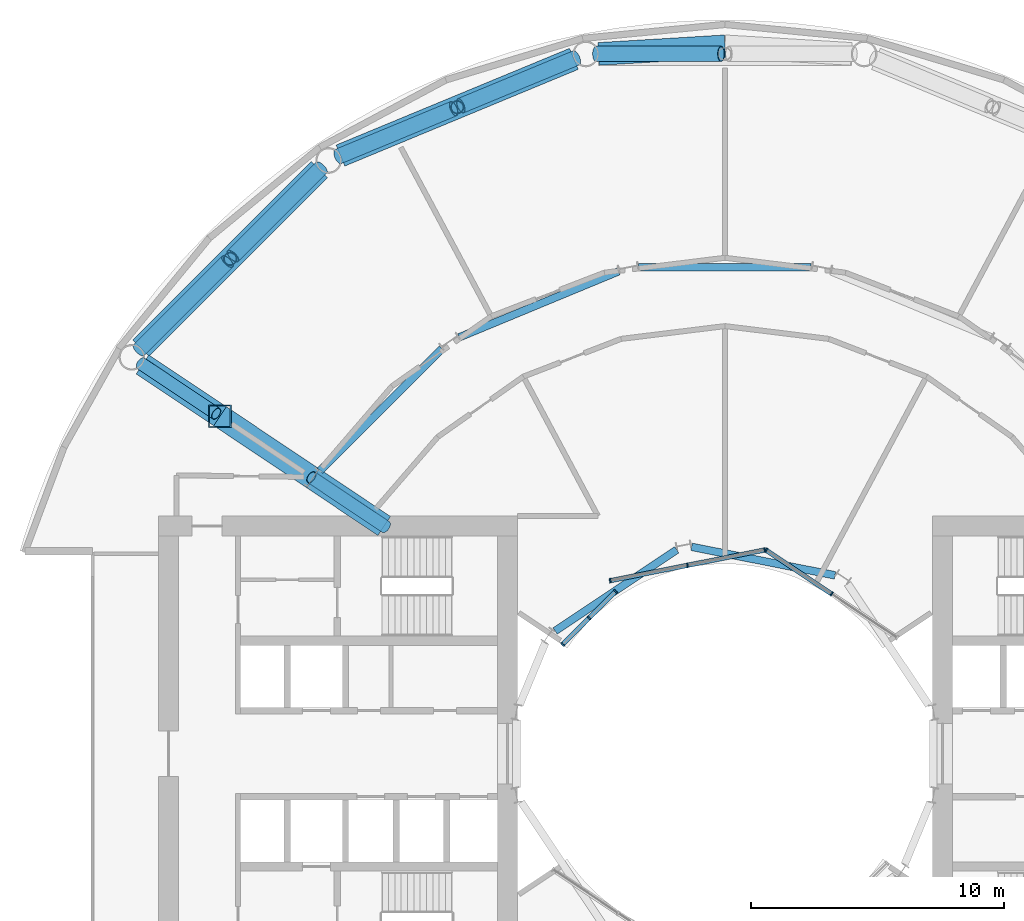
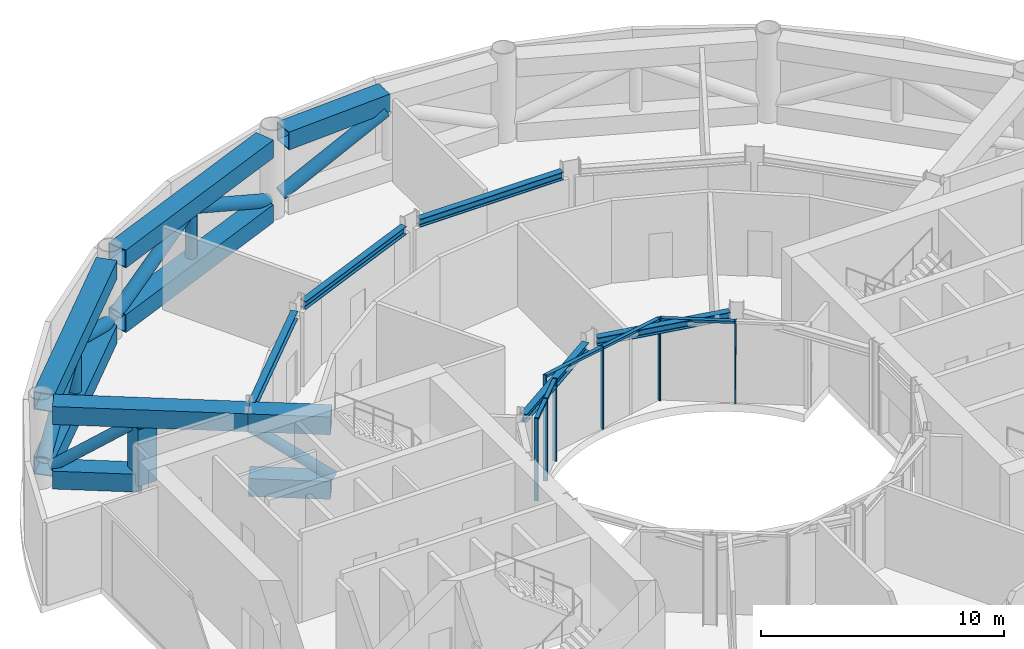
# One storey, part 6 of 15: 23 members, 14 beams, 3 elements without a shape of their own.
"""IFC4 building model written with IfcOpenShell, lengths in metres."""

import ifcopenshell
import ifcopenshell.guid

model = None  # the IFC model being written
_history = None  # IfcOwnerHistory: only IFC2X3 demands one
_inside = {}  # id of a spatial element -> (the spatial element, [elements in it])
_under = {}  # id of a project, library or spatial element -> (it, [spatial elements below it])
_declared = {}  # id of a project -> (the project, [libraries it declares])
_typed = {}  # id of a type object -> (the type object, [elements of that type])
_made_of = {}  # id of a material, layer set ... -> (it, [elements and type objects made of it])


def new_model(schema):
    """Start an empty IFC model of exactly this schema.

    Asked for "IFC4X3", IfcOpenShell would pick the latest addendum, in which some entities
    have other attributes; the version numbers below select the first issue.
    IFC2X3 requires an IfcOwnerHistory on every rooted entity: one is made here for all.
    """
    global model, _history
    if schema == "IFC4X3":
        model = ifcopenshell.file(schema_version=(4, 3, 0, 0))
    else:
        model = ifcopenshell.file(schema=schema)
    _inside.clear()
    _under.clear()
    _declared.clear()
    _typed.clear()
    _made_of.clear()
    _history = None
    if model.schema == "IFC2X3":
        org = make("IfcOrganization", Name="unknown")
        user = make(
            "IfcPersonAndOrganization",
            ThePerson=make("IfcPerson", FamilyName="unknown"),
            TheOrganization=org,
        )
        app = make(
            "IfcApplication",
            ApplicationDeveloper=org,
            Version="unknown",
            ApplicationFullName="unknown",
            ApplicationIdentifier="unknown",
        )
        _history = make(
            "IfcOwnerHistory",
            OwningUser=user,
            OwningApplication=app,
            ChangeAction="ADDED",
            CreationDate=0,
        )
    return model


def make(cls, **values):
    """One entity of the class cls with the attributes given. An attribute that is None is left unset."""
    return model.create_entity(
        cls, **{name: value for name, value in values.items() if value is not None}
    )


def rooted(cls, **values):
    """An entity with a GlobalId (a new one), such as an element, a storey or a relation."""
    return make(cls, GlobalId=ifcopenshell.guid.new(), OwnerHistory=_history, **values)


def si_unit(unit_type, name, prefix=None):
    """IfcSIUnit, for example si_unit("LENGTHUNIT", "METRE", prefix="MILLI")."""
    return make("IfcSIUnit", UnitType=unit_type, Prefix=prefix, Name=name)


def assignment(units):
    """IfcUnitAssignment: the units of a project."""
    return None if units is None else make("IfcUnitAssignment", Units=units)


def point(xyz):
    """IfcCartesianPoint."""
    return None if xyz is None else make("IfcCartesianPoint", Coordinates=xyz)


def direction(xyz):
    """IfcDirection."""
    return None if xyz is None else make("IfcDirection", DirectionRatios=xyz)


def frame(location, z_axis=None, x_axis=None):
    """IfcAxis2Placement3D, a coordinate frame: its origin and axes. An axis left out is left unset."""
    return make(
        "IfcAxis2Placement3D",
        Location=point(location),
        Axis=direction(z_axis),
        RefDirection=direction(x_axis),
    )


def frame_2d(location, x_axis=None):
    """IfcAxis2Placement2D, a coordinate frame in the plane: its origin and x axis."""
    return make(
        "IfcAxis2Placement2D", Location=point(location), RefDirection=direction(x_axis)
    )


def origin():
    """The frame at (0, 0, 0) with its axes left unset."""
    return frame((0.0, 0.0, 0.0))


def origin_2d():
    """The frame at (0, 0) in the plane with its x axis left unset."""
    return frame_2d((0.0, 0.0))


def place(relative_to, where):
    """IfcLocalPlacement: puts the frame where relative to a parent placement (None: the world)."""
    return make(
        "IfcLocalPlacement", PlacementRelTo=relative_to, RelativePlacement=where
    )


def context(
    kind, dimensions, precision=None, world=None, true_north=None, identifier=None
):
    """IfcGeometricRepresentationContext, for example the 3D "Model" context."""
    return make(
        "IfcGeometricRepresentationContext",
        ContextIdentifier=identifier,
        ContextType=kind,
        CoordinateSpaceDimension=dimensions,
        Precision=precision,
        WorldCoordinateSystem=world,
        TrueNorth=true_north,
    )


def subcontext(parent, identifier, kind, view, scale=None):
    """IfcGeometricRepresentationSubContext, for example "Body" below "Model"."""
    return make(
        "IfcGeometricRepresentationSubContext",
        ContextIdentifier=identifier,
        ContextType=kind,
        ParentContext=parent,
        TargetScale=scale,
        TargetView=view,
    )


def project(units=None, contexts=None):
    """IfcProject with its units and contexts."""
    return rooted(
        "IfcProject",
        Name="project",
        RepresentationContexts=contexts,
        UnitsInContext=assignment(units),
    )


def spatial(cls, under=None, at=None, **own):
    """A site, building, storey or space (cls), placed at a placement, below another one or the project."""
    s = rooted(cls, ObjectPlacement=at, **own)
    if under is not None:
        _under.setdefault(under.id(), (under, []))[1].append(s)
    return s


def profile(cls, at=None, kind="AREA", **sizes):
    """A parametric profile (cls). Its sizes go by their IFC names, for example OverallWidth=200.0."""
    return make(cls, ProfileType=kind, Position=at, **sizes)


def rectangle(**sizes):
    """IfcRectangleProfileDef."""
    return profile("IfcRectangleProfileDef", **sizes)


def hollow_rectangle(**sizes):
    """IfcRectangleHollowProfileDef."""
    return profile("IfcRectangleHollowProfileDef", **sizes)


def hollow_circle(**sizes):
    """IfcCircleHollowProfileDef."""
    return profile("IfcCircleHollowProfileDef", **sizes)


def i_section(**sizes):
    """IfcIShapeProfileDef."""
    return profile("IfcIShapeProfileDef", **sizes)


def extrude(swept, where, along, depth):
    """IfcExtrudedAreaSolid: the profile swept, set in the frame where, extruded along a direction by depth."""
    return make(
        "IfcExtrudedAreaSolid",
        SweptArea=swept,
        Position=where,
        ExtrudedDirection=direction(along),
        Depth=depth,
    )


def shape(context_of_items, identifier, shape_type, items):
    """IfcShapeRepresentation: the items that make up one representation, for example the "Body"."""
    return make(
        "IfcShapeRepresentation",
        ContextOfItems=context_of_items,
        RepresentationIdentifier=identifier,
        RepresentationType=shape_type,
        Items=items,
    )


def material(Name=None, Category=None):
    """IfcMaterial."""
    return make("IfcMaterial", Name=Name, Category=Category)


def layer(
    of_material, thickness, ventilated=None, Name=None, Category=None, Priority=None
):
    """IfcMaterialLayer: one layer of a wall or slab, of a material (None: an air gap)."""
    return make(
        "IfcMaterialLayer",
        Material=of_material,
        LayerThickness=thickness,
        IsVentilated=ventilated,
        Name=Name,
        Category=Category,
        Priority=Priority,
    )


def layer_set(layers, Name=None):
    """IfcMaterialLayerSet."""
    return make("IfcMaterialLayerSet", MaterialLayers=layers, LayerSetName=Name)


def material_profile(
    of_material, cross_section, Name=None, Category=None, Priority=None
):
    """IfcMaterialProfile: a cross section and its material."""
    return make(
        "IfcMaterialProfile",
        Name=Name,
        Material=of_material,
        Profile=cross_section,
        Priority=Priority,
        Category=Category,
    )


def profile_set(profiles, Name=None, composite=None):
    """IfcMaterialProfileSet."""
    return make(
        "IfcMaterialProfileSet",
        Name=Name,
        MaterialProfiles=profiles,
        CompositeProfile=composite,
    )


def made_of(thing, what):
    """Note that an element or type object is made of a material, layer set ...; save() writes the relation."""
    if what is not None:
        _made_of.setdefault(what.id(), (what, []))[1].append(thing)
    return thing


def type_object(cls, material=None, **own):
    """A type object (cls), such as IfcWallType, which elements share."""
    return made_of(rooted(cls, **own), material)


def element(
    cls,
    number,
    at=None,
    inside=None,
    cuts=None,
    type_object=None,
    material=None,
    context=None,
    identifier="Body",
    shape_type=None,
    held_by="IfcProductDefinitionShape",
    body=None,
    shapes=None,
    **own,
):
    """One element of the class cls, such as IfcWall. Its Tag is "e" and its number.

    at: its placement. inside: the storey or other place that contains it. cuts: it is an
    opening in that element (IfcRelVoidsElement). A single representation is given by context,
    identifier, shape_type and body (its items); several are given by shapes. held_by: the class
    of the entity that holds the representations. save() writes the other relations.
    """
    e = rooted(cls, Tag="e%d" % number, ObjectPlacement=at, **own)
    if body is not None:
        shapes = [shape(context, identifier, shape_type, body)]
    if shapes is not None:
        e.Representation = make(held_by, Representations=shapes)
    if inside is not None:
        _inside.setdefault(inside.id(), (inside, []))[1].append(e)
    if cuts is not None:
        rooted(
            "IfcRelVoidsElement", RelatingBuildingElement=cuts, RelatedOpeningElement=e
        )
    if type_object is not None:
        _typed.setdefault(type_object.id(), (type_object, []))[1].append(e)
    return made_of(e, material)


def aggregate(whole, parts):
    """IfcRelAggregates: a whole, such as a stair, and the parts it consists of."""
    return rooted("IfcRelAggregates", RelatingObject=whole, RelatedObjects=parts)


def save(model, path):
    """Write the relations noted so far, then the file.

    IfcRelAggregates (storeys below a building ...), IfcRelContainedInSpatialStructure (elements
    in a storey), IfcRelDefinesByType, IfcRelAssociatesMaterial and IfcRelDeclares: one each for
    every whole, place, type object, material and project.
    """
    for whole, parts in _under.values():
        aggregate(whole, parts)
    for where, things in _inside.values():
        rooted(
            "IfcRelContainedInSpatialStructure",
            RelatedElements=things,
            RelatingStructure=where,
        )
    for kind, things in _typed.values():
        rooted("IfcRelDefinesByType", RelatedObjects=things, RelatingType=kind)
    for what, things in _made_of.values():
        rooted("IfcRelAssociatesMaterial", RelatedObjects=things, RelatingMaterial=what)
    for by, libraries in _declared.values():
        rooted("IfcRelDeclares", RelatingContext=by, RelatedDefinitions=libraries)
    model.write(path)


model = new_model("IFC4")

# Units and contexts
model_context = context("Model", 3, precision=1e-05, world=origin(), true_north=direction((0.0, 1.0)))
body_context = subcontext(model_context, "Body", "Model", "MODEL_VIEW")
ifc_project = project(units=[si_unit("LENGTHUNIT", "METRE"), si_unit("AREAUNIT", "SQUARE_METRE"), si_unit("VOLUMEUNIT", "CUBIC_METRE"), si_unit("PLANEANGLEUNIT", "RADIAN"), si_unit("MASSUNIT", "GRAM", prefix="KILO")], contexts=[model_context])

# Site, building, storey
site_placement = place(None, origin())
site = spatial("IfcSite", under=ifc_project, at=site_placement, CompositionType="ELEMENT")
building_placement = place(site_placement, origin())
building = spatial("IfcBuilding", under=site, at=building_placement, Name="Maasbend Ring Residences", CompositionType="ELEMENT")
storey_placement = place(building_placement, frame((0.0, 0.0, 18.300048828125)))
storey = spatial("IfcBuildingStorey", under=building, at=storey_placement, Name="L04", CompositionType="ELEMENT", Elevation=18.300048828125)

# Beams
ifc_material_1 = material(Name="Steel S460M", Category="steel")
ifc_material_profile_1 = material_profile(ifc_material_1, hollow_rectangle(XDim=0.89990234375, YDim=0.89990234375, WallThickness=0.044921875, at=origin_2d()), Name="Belt truss chord BX 900x900x45")
ifc_profile_set_1 = profile_set([ifc_material_profile_1], Name="Steel S460M")
beam_type_1 = type_object("IfcBeamType", Name="Belt truss chord BX 900x900x45", PredefinedType="BEAM", material=ifc_profile_set_1)
beam_1_placement = place(storey_placement, frame((0.0, 27.9580078125, 3.699951171875), z_axis=(-0.998202452092, -0.059932166976, 0.0), x_axis=(0.059932166976, -0.998202452092, 0.0)))
element("IfcBeam", 1, at=beam_1_placement, inside=storey, type_object=beam_type_1, Name="Belt truss", PredefinedType="BEAM", context=body_context, shape_type="SweptSolid", body=[
    extrude(hollow_rectangle(XDim=0.89990234375, YDim=0.89990234375, WallThickness=0.044921875, at=origin_2d()), origin(), (0.0, 0.0, 1.0), 5.00244140625),
])
for number, where, z_axis, x_axis, name in (
    (2, (-5.970703125, 27.463623046875, 0.449951171875), (-0.923886337442, -0.382667003395, 0.0), (0.382667003395, -0.923886337442, 0.0), "Belt truss"),
    (3, (-5.970703125, 27.463623046875, 3.699951171875), (-0.923886337442, -0.382667003395, 0.0), (0.382667003395, -0.923886337442, 0.0), "Belt truss"),
):
    element("IfcBeam", number, at=place(storey_placement, frame(where, z_axis=z_axis, x_axis=x_axis)), inside=storey, type_object=beam_type_1, Name=name, PredefinedType="BEAM", context=body_context, shape_type="SweptSolid", body=[
        extrude(hollow_rectangle(XDim=0.89990234375, YDim=0.89990234375, WallThickness=0.044921875, at=origin_2d()), origin(), (0.0, 0.0, 1.0), 9.9873046875),
    ])
for number, where, z_axis, x_axis, name in (
    (4, (-16.0263671875, 23.088134765625, 0.449951171875), (-0.707106781187, -0.707106781187, 0.0), (0.707106781187, -0.707106781187, 0.0), "Belt truss"),
    (5, (-16.0263671875, 23.088134765625, 3.699951171875), (-0.707106781187, -0.707106781187, 0.0), (0.707106781187, -0.707106781187, 0.0), "Belt truss"),
):
    element("IfcBeam", number, at=place(storey_placement, frame(where, z_axis=z_axis, x_axis=x_axis)), inside=storey, type_object=beam_type_1, Name=name, PredefinedType="BEAM", context=body_context, shape_type="SweptSolid", body=[
        extrude(hollow_rectangle(XDim=0.89990234375, YDim=0.89990234375, WallThickness=0.044921875, at=origin_2d()), origin(), (0.0, 0.0, 1.0), 9.98681640625),
    ])

# Members
ifc_material_2 = material(Name="Steel S460NH", Category="steel")
ifc_material_profile_2 = material_profile(ifc_material_2, hollow_circle(Radius=0.304931640625, WallThickness=0.02490234375, at=origin_2d()), Name="Belt truss diagonal CHS 610x25")
ifc_profile_set_2 = profile_set([ifc_material_profile_2], Name="Steel S460NH")
member_type_1 = type_object("IfcMemberType", Name="Belt truss diagonal CHS 610x25", PredefinedType="BRACE", material=ifc_profile_set_2)
member_1_placement = place(storey_placement, frame((-0.1533203125, 27.658203125, 3.300048828125), z_axis=(-0.895892052574, 0.0, -0.44427179759), x_axis=(0.0, -1.0, 0.0)))
element("IfcMember", 6, at=member_1_placement, inside=storey, type_object=member_type_1, Name="Belt truss diagonal", PredefinedType="BRACE", context=body_context, shape_type="SweptSolid", body=[
    extrude(hollow_circle(Radius=0.304931640625, WallThickness=0.02490234375, at=origin_2d()), origin(), (0.0, 0.0, 1.0), 5.51513671875),
])
for number, where, z_axis, x_axis, name in (
    (7, (-5.877685546875, 27.502197265625, 0.849853515625), (-0.827714428739, -0.342833747825, 0.444245254122), (0.38266743189, -0.923886159963, 0.0), "Belt truss diagonal"),
    (8, (-10.725830078125, 25.494140625, 3.300048828125), (-0.827714428739, -0.342833747825, -0.444245254122), (0.38266743189, -0.923886159963, 0.0), "Belt truss diagonal"),
    (9, (-15.955078125, 23.159423828125, 0.849853515625), (-0.633496351585, -0.633496351585, 0.444257521103), (0.707106781187, -0.707106781187, 0.0), "Belt truss diagonal"),
    (10, (-19.66552734375, 19.448974609375, 3.300048828125), (-0.633496351585, -0.633496351585, -0.444257521103), (0.707106781187, -0.707106781187, 0.0), "Belt truss diagonal"),
):
    element("IfcMember", number, at=place(storey_placement, frame(where, z_axis=z_axis, x_axis=x_axis)), inside=storey, type_object=member_type_1, Name=name, PredefinedType="BRACE", context=body_context, shape_type="SweptSolid", body=[
        extrude(hollow_circle(Radius=0.304931640625, WallThickness=0.02490234375, at=origin_2d()), origin(), (0.0, 0.0, 1.0), 5.515380859375),
    ])
ifc_material_3 = material(Name="Steel S460NH", Category="steel")
ifc_material_profile_3 = material_profile(ifc_material_3, hollow_circle(Radius=0.25390625, WallThickness=0.01611328125, at=origin_2d()), Name="Belt truss post CHS 508x16")
ifc_profile_set_3 = profile_set([ifc_material_profile_3], Name="Steel S460NH")
member_type_2 = type_object("IfcMemberType", Name="Belt truss post CHS 508x16", PredefinedType="POST", material=ifc_profile_set_3)
for number, where, z_axis, x_axis, name in (
    (11, (-10.584228515625, 25.552734375, 0.89990234375), (0.0, 0.0, 1.0), (1.0, 0.0, 0.0), "Belt truss post"),
    (12, (-19.55712890625, 19.55712890625, 0.89990234375), (0.0, 0.0, 1.0), (1.0, 0.0, 0.0), "Belt truss post"),
):
    element("IfcMember", number, at=place(storey_placement, frame(where, z_axis=z_axis, x_axis=x_axis)), inside=storey, type_object=member_type_2, Name=name, PredefinedType="POST", context=body_context, shape_type="SweptSolid", body=[
        extrude(hollow_circle(Radius=0.25390625, WallThickness=0.01611328125, at=origin_2d()), origin(), (0.0, 0.0, 1.0), 2.35009765625),
    ])

# Curtain wall, members
ifc_material_4 = material(Name="Aluminium and clear glass", Category="aluminium")
ifc_layer = layer(ifc_material_4, 0.179931640625)
ifc_layer_set = layer_set([ifc_layer], Name="CW-W")
curtain_wall_type = type_object("IfcCurtainWallType", Name="CW-W", PredefinedType="NOTDEFINED", material=ifc_layer_set)
curtain_wall_1_placement = place(storey_placement, origin())
curtain_wall_1 = element("IfcCurtainWall", 13, at=curtain_wall_1_placement, inside=storey, type_object=curtain_wall_type, Name="Well curtain wall N1", PredefinedType="NOTDEFINED")
ifc_material_5 = material(Name="Aluminium 6063-T6", Category="aluminium")
ifc_material_profile_4 = material_profile(ifc_material_5, rectangle(XDim=0.179931640625, YDim=0.06005859375, at=origin_2d()), Name="AL 180x60")
ifc_profile_set_4 = profile_set([ifc_material_profile_4], Name="Aluminium 6063-T6")
member_type_3 = type_object("IfcMemberType", Name="CWM-W", PredefinedType="MULLION", material=ifc_profile_set_4)
member_2_placement = place(storey_placement, frame((4.216796875, 6.310791015625, 0.0), z_axis=(0.0, 0.0, 1.0), x_axis=(-0.55557023302, -0.831469612303, 0.0)))
member_2 = element("IfcMember", 14, at=member_2_placement, type_object=member_type_3, Name="Mullion well face", PredefinedType="MULLION", context=body_context, shape_type="SweptSolid", body=[
    extrude(rectangle(XDim=0.179931640625, YDim=0.06005859375, at=origin_2d()), origin(), (0.0, 0.0, 1.0), 4.14990234375),
])
member_3_placement = place(storey_placement, frame((1.627685546875, 8.040771484375, 0.0), z_axis=(0.0, 0.0, 1.0), x_axis=(-0.55557023302, -0.831469612303, 0.0)))
member_3 = element("IfcMember", 15, at=member_3_placement, type_object=member_type_3, Name="Mullion well face", PredefinedType="MULLION", context=body_context, shape_type="SweptSolid", body=[
    extrude(rectangle(XDim=0.179931640625, YDim=0.06005859375, at=origin_2d()), origin(), (0.0, 0.0, 1.0), 4.14990234375),
])

curtain_wall_2_placement = place(storey_placement, origin())
curtain_wall_2 = element("IfcCurtainWall", 16, at=curtain_wall_2_placement, inside=storey, type_object=curtain_wall_type, Name="Well curtain wall N2", PredefinedType="NOTDEFINED")
member_4_placement = place(storey_placement, frame((1.5732421875, 8.0517578125, 0.0), z_axis=(0.0, 0.0, 1.0), x_axis=(0.195090322016, -0.980785280403, 0.0)))
member_4 = element("IfcMember", 17, at=member_4_placement, type_object=member_type_3, Name="Mullion well face", PredefinedType="MULLION", context=body_context, shape_type="SweptSolid", body=[
    extrude(rectangle(XDim=0.179931640625, YDim=0.06005859375, at=origin_2d()), origin(), (0.0, 0.0, 1.0), 4.14990234375),
])
member_5_placement = place(storey_placement, frame((-1.480712890625, 7.444091796875, 0.0), z_axis=(0.0, 0.0, 1.0), x_axis=(0.195090322016, -0.980785280403, 0.0)))
member_5 = element("IfcMember", 18, at=member_5_placement, type_object=member_type_3, Name="Mullion well face", PredefinedType="MULLION", context=body_context, shape_type="SweptSolid", body=[
    extrude(rectangle(XDim=0.179931640625, YDim=0.06005859375, at=origin_2d()), origin(), (0.0, 0.0, 1.0), 4.14990234375),
])
member_6_placement = place(storey_placement, frame((-4.53466796875, 6.836669921875, 0.0), z_axis=(0.0, 0.0, 1.0), x_axis=(0.195090322016, -0.980785280403, 0.0)))
member_6 = element("IfcMember", 19, at=member_6_placement, type_object=member_type_3, Name="Mullion well face", PredefinedType="MULLION", context=body_context, shape_type="SweptSolid", body=[
    extrude(rectangle(XDim=0.179931640625, YDim=0.06005859375, at=origin_2d()), origin(), (0.0, 0.0, 1.0), 4.14990234375),
])

curtain_wall_3_placement = place(storey_placement, origin())
curtain_wall_3 = element("IfcCurtainWall", 20, at=curtain_wall_3_placement, inside=storey, type_object=curtain_wall_type, Name="Well curtain wall N3", PredefinedType="NOTDEFINED")
member_7_placement = place(storey_placement, frame((-4.320556640625, 6.413330078125, 0.0), z_axis=(0.0, 0.0, 1.0), x_axis=(0.707106781187, -0.707106781187, 0.0)))
member_7 = element("IfcMember", 21, at=member_7_placement, type_object=member_type_3, Name="Mullion well face", PredefinedType="MULLION", context=body_context, shape_type="SweptSolid", body=[
    extrude(rectangle(XDim=0.179931640625, YDim=0.06005859375, at=origin_2d()), origin(), (0.0, 0.0, 1.0), 4.14990234375),
])
member_8_placement = place(storey_placement, frame((-5.366943359375, 5.366943359375, 0.0), z_axis=(0.0, 0.0, 1.0), x_axis=(0.707106781187, -0.707106781187, 0.0)))
member_8 = element("IfcMember", 22, at=member_8_placement, type_object=member_type_3, Name="Mullion well face", PredefinedType="MULLION", context=body_context, shape_type="SweptSolid", body=[
    extrude(rectangle(XDim=0.179931640625, YDim=0.06005859375, at=origin_2d()), origin(), (0.0, 0.0, 1.0), 4.14990234375),
])
member_9_placement = place(storey_placement, frame((-6.413330078125, 4.320556640625, 0.0), z_axis=(0.0, 0.0, 1.0), x_axis=(0.707106781187, -0.707106781187, 0.0)))
member_9 = element("IfcMember", 23, at=member_9_placement, type_object=member_type_3, Name="Mullion well face", PredefinedType="MULLION", context=body_context, shape_type="SweptSolid", body=[
    extrude(rectangle(XDim=0.179931640625, YDim=0.06005859375, at=origin_2d()), origin(), (0.0, 0.0, 1.0), 4.14990234375),
])

# Member
ifc_material_6 = material(Name="Aluminium 6063-T6", Category="aluminium")
ifc_material_profile_5 = material_profile(ifc_material_6, rectangle(XDim=0.179931640625, YDim=0.1201171875, at=origin_2d()), Name="AL 180x120")
ifc_profile_set_5 = profile_set([ifc_material_profile_5], Name="Aluminium 6063-T6")
member_type_4 = type_object("IfcMemberType", Name="CWT-W", PredefinedType="USERDEFINED", material=ifc_profile_set_5)
member_10_placement = place(storey_placement, frame((4.19189453125, 6.32763671875, 4.08984375), z_axis=(-0.831496422459, 0.555530106689, 0.0), x_axis=(-0.555530106689, -0.831496422459, 0.0)))
member_10 = element("IfcMember", 24, at=member_10_placement, type_object=member_type_4, Name="Transom well face", ObjectType="TRANSOM", PredefinedType="USERDEFINED", context=body_context, shape_type="SweptSolid", body=[
    extrude(rectangle(XDim=0.179931640625, YDim=0.1201171875, at=origin_2d()), origin(), (0.0, 0.0, 1.0), 3.053955078125),
])

aggregate(curtain_wall_1, [member_2, member_3, member_10])

member_11_placement = place(storey_placement, frame((1.5439453125, 8.0458984375, 4.08984375), z_axis=(-0.980776956105, -0.195132166424, 0.0), x_axis=(0.195132166424, -0.980776956105, 0.0)))
member_11 = element("IfcMember", 25, at=member_11_placement, type_object=member_type_4, Name="Transom well face", ObjectType="TRANSOM", PredefinedType="USERDEFINED", context=body_context, shape_type="SweptSolid", body=[
    extrude(rectangle(XDim=0.179931640625, YDim=0.1201171875, at=origin_2d()), origin(), (0.0, 0.0, 1.0), 3.053955078125),
])

member_12_placement = place(storey_placement, frame((-1.51025390625, 7.438232421875, 4.08984375), z_axis=(-0.980789210404, -0.19507056353, 0.0), x_axis=(0.19507056353, -0.980789210404, 0.0)))
member_12 = element("IfcMember", 26, at=member_12_placement, type_object=member_type_4, Name="Transom well face", ObjectType="TRANSOM", PredefinedType="USERDEFINED", context=body_context, shape_type="SweptSolid", body=[
    extrude(rectangle(XDim=0.179931640625, YDim=0.1201171875, at=origin_2d()), origin(), (0.0, 0.0, 1.0), 3.0537109375),
])

aggregate(curtain_wall_2, [member_4, member_5, member_6, member_11, member_12])

member_13_placement = place(storey_placement, frame((-4.341796875, 6.39208984375, 4.08984375), z_axis=(-0.707106781187, -0.707106781187, 0.0), x_axis=(0.707106781187, -0.707106781187, 0.0)))
member_13 = element("IfcMember", 27, at=member_13_placement, type_object=member_type_4, Name="Transom well face", ObjectType="TRANSOM", PredefinedType="USERDEFINED", context=body_context, shape_type="SweptSolid", body=[
    extrude(rectangle(XDim=0.179931640625, YDim=0.1201171875, at=origin_2d()), origin(), (0.0, 0.0, 1.0), 1.419677734375),
])

member_14_placement = place(storey_placement, frame((-5.38818359375, 5.345703125, 4.08984375), z_axis=(-0.707106781187, -0.707106781187, 0.0), x_axis=(0.707106781187, -0.707106781187, 0.0)))
member_14 = element("IfcMember", 28, at=member_14_placement, type_object=member_type_4, Name="Transom well face", ObjectType="TRANSOM", PredefinedType="USERDEFINED", context=body_context, shape_type="SweptSolid", body=[
    extrude(rectangle(XDim=0.179931640625, YDim=0.1201171875, at=origin_2d()), origin(), (0.0, 0.0, 1.0), 1.419677734375),
])

aggregate(curtain_wall_3, [member_7, member_8, member_9, member_13, member_14])

# Beams
ifc_material_7 = material(Name="Steel S355J2", Category="steel")
ifc_material_profile_6 = material_profile(ifc_material_7, i_section(OverallWidth=0.300048828125, OverallDepth=0.39990234375, WebThickness=0.013427734375, FlangeThickness=0.02392578125, FilletRadius=0.027099609375, at=origin_2d()), Name="HEB 400")
ifc_profile_set_6 = profile_set([ifc_material_profile_6], Name="Steel S355J2")
beam_type_2 = type_object("IfcBeamType", Name="Corridor ring beam HEB 400", PredefinedType="BEAM", material=ifc_profile_set_6)
beam_2_placement = place(storey_placement, frame((3.40869140625, 19.223388671875, 3.949951171875), z_axis=(-1.0, 0.0, 0.0), x_axis=(0.0, -1.0, 0.0)))
element("IfcBeam", 29, at=beam_2_placement, inside=storey, type_object=beam_type_2, Name="Corridor ring beam", PredefinedType="BEAM", context=body_context, shape_type="SweptSolid", body=[
    extrude(i_section(OverallWidth=0.300048828125, OverallDepth=0.39990234375, WebThickness=0.013427734375, FlangeThickness=0.02392578125, FilletRadius=0.027099609375, at=origin_2d()), origin(), (0.0, 0.0, 1.0), 6.8173828125),
])
for number, where, z_axis, x_axis, name in (
    (30, (-4.207275390625, 19.064697265625, 3.949951171875), (-0.92387061516, -0.382704960046, 0.0), (0.382704960046, -0.92387061516, 0.0), "Corridor ring beam"),
    (31, (-11.1826171875, 16.00341796875, 3.949951171875), (-0.707106781187, -0.707106781187, 0.0), (0.707106781187, -0.707106781187, 0.0), "Corridor ring beam"),
):
    element("IfcBeam", number, at=place(storey_placement, frame(where, z_axis=z_axis, x_axis=x_axis)), inside=storey, type_object=beam_type_2, Name=name, PredefinedType="BEAM", context=body_context, shape_type="SweptSolid", body=[
        extrude(i_section(OverallWidth=0.300048828125, OverallDepth=0.39990234375, WebThickness=0.013427734375, FlangeThickness=0.02392578125, FilletRadius=0.027099609375, at=origin_2d()), origin(), (0.0, 0.0, 1.0), 6.817626953125),
    ])
ifc_material_8 = material(Name="Steel S460M", Category="steel")
ifc_material_profile_7 = material_profile(ifc_material_8, hollow_rectangle(XDim=0.89990234375, YDim=0.89990234375, WallThickness=0.044921875, at=origin_2d()), Name="Outrigger truss chord BX 900x900x45")
ifc_profile_set_7 = profile_set([ifc_material_profile_7], Name="Steel S460M")
beam_type_3 = type_object("IfcBeamType", Name="Outrigger truss chord BX 900x900x45", PredefinedType="BEAM", material=ifc_profile_set_7)
beam_3_placement = place(storey_placement, frame((-23.02490234375, 15.385009765625, 0.449951171875), z_axis=(0.83143805452, -0.555617459676, 0.0), x_axis=(0.555617459676, 0.83143805452, 0.0)))
element("IfcBeam", 32, at=beam_3_placement, inside=storey, type_object=beam_type_3, Name="Outrigger truss", PredefinedType="BEAM", context=body_context, shape_type="SweptSolid", body=[
    extrude(hollow_rectangle(XDim=0.89990234375, YDim=0.89990234375, WallThickness=0.044921875, at=origin_2d()), origin(), (0.0, 0.0, 1.0), 3.68408203125),
])
beam_4_placement = place(storey_placement, frame((-23.02490234375, 15.385009765625, 3.699951171875), z_axis=(0.831450444505, -0.555598918585, 0.0), x_axis=(0.555598918585, 0.831450444505, 0.0)))
element("IfcBeam", 33, at=beam_4_placement, inside=storey, type_object=beam_type_3, Name="Outrigger truss", PredefinedType="BEAM", context=body_context, shape_type="SweptSolid", body=[
    extrude(hollow_rectangle(XDim=0.89990234375, YDim=0.89990234375, WallThickness=0.044921875, at=origin_2d()), origin(), (0.0, 0.0, 1.0), 8.083984375),
])
for number, where, z_axis, x_axis, name in (
    (34, (-16.2900390625, 10.884765625, 0.449951171875), (0.831451918965, -0.555596712058, 0.0), (0.555596712058, 0.831451918965, 0.0), "Outrigger truss"),
    (35, (-16.2900390625, 10.884765625, 3.699951171875), (0.831451918965, -0.555596712058, 0.0), (0.555596712058, 0.831451918965, 0.0), "Outrigger truss"),
):
    element("IfcBeam", number, at=place(storey_placement, frame(where, z_axis=z_axis, x_axis=x_axis)), inside=storey, type_object=beam_type_3, Name=name, PredefinedType="BEAM", context=body_context, shape_type="SweptSolid", body=[
        extrude(hollow_rectangle(XDim=0.89990234375, YDim=0.89990234375, WallThickness=0.044921875, at=origin_2d()), origin(), (0.0, 0.0, 1.0), 3.392333984375),
    ])

# Members
ifc_material_9 = material(Name="Steel S460NH", Category="steel")
ifc_material_profile_8 = material_profile(ifc_material_9, hollow_circle(Radius=0.25390625, WallThickness=0.02490234375, at=origin_2d()), Name="Outrigger truss diagonal CHS 508x25")
ifc_profile_set_8 = profile_set([ifc_material_profile_8], Name="Steel S460NH")
member_type_5 = type_object("IfcMemberType", Name="Outrigger truss diagonal CHS 508x25", PredefinedType="BRACE", material=ifc_profile_set_8)
member_15_placement = place(storey_placement, frame((-23.085693359375, 15.42529296875, 0.849853515625), z_axis=(0.685925773772, -0.458278842366, 0.565231223054), x_axis=(0.555534944502, 0.831493190253, 0.0)))
element("IfcMember", 36, at=member_15_placement, inside=storey, type_object=member_type_5, Name="Outrigger truss diagonal", PredefinedType="BRACE", context=body_context, shape_type="SweptSolid", body=[
    extrude(hollow_circle(Radius=0.25390625, WallThickness=0.02490234375, at=origin_2d()), origin(), (0.0, 0.0, 1.0), 4.3349609375),
])
member_16_placement = place(storey_placement, frame((-16.35009765625, 10.9248046875, 3.300048828125), z_axis=(0.683477966691, -0.456673364544, -0.56947985668), x_axis=(0.555560130129, 0.831476362749, 0.0)))
element("IfcMember", 37, at=member_16_placement, inside=storey, type_object=member_type_5, Name="Outrigger truss diagonal", PredefinedType="BRACE", context=body_context, shape_type="SweptSolid", body=[
    extrude(hollow_circle(Radius=0.25390625, WallThickness=0.02490234375, at=origin_2d()), origin(), (0.0, 0.0, 1.0), 4.302490234375),
])
ifc_material_10 = material(Name="Steel S460M", Category="steel")
ifc_material_profile_9 = material_profile(ifc_material_10, hollow_rectangle(XDim=0.89990234375, YDim=0.89990234375, WallThickness=0.044921875, at=origin_2d()), Name="Outrigger truss post BX 900x900x45")
ifc_profile_set_9 = profile_set([ifc_material_profile_9], Name="Steel S460M")
member_type_6 = type_object("IfcMemberType", Name="Outrigger truss post BX 900x900x45", PredefinedType="POST", material=ifc_profile_set_9)
member_17_placement = place(storey_placement, frame((-19.9619140625, 13.338134765625, 0.39990234375), z_axis=(0.0, 0.0, 1.0), x_axis=(1.0, 0.0, 0.0)))
element("IfcMember", 38, at=member_17_placement, inside=storey, type_object=member_type_6, Name="Outrigger truss post", PredefinedType="POST", context=body_context, shape_type="SweptSolid", body=[
    extrude(hollow_rectangle(XDim=0.89990234375, YDim=0.89990234375, WallThickness=0.044921875, at=origin_2d()), origin(), (0.0, 0.0, 1.0), 2.85009765625),
])

# Beams
ifc_material_11 = material(Name="Steel S355J2", Category="steel")
ifc_material_profile_10 = material_profile(ifc_material_11, i_section(OverallWidth=0.300048828125, OverallDepth=0.39990234375, WebThickness=0.013427734375, FlangeThickness=0.02392578125, FilletRadius=0.027099609375, at=origin_2d()), Name="HEB 400")
ifc_profile_set_10 = profile_set([ifc_material_profile_10], Name="Steel S355J2")
beam_type_4 = type_object("IfcBeamType", Name="Well edge beam HEB 400", PredefinedType="BEAM", material=ifc_profile_set_10)
for number, where, z_axis, x_axis, name in (
    (39, (4.348388671875, 7.047607421875, 3.949951171875), (-0.980781612923, 0.195108758779, 0.0), (-0.195108758779, -0.980781612923, 0.0), "Well edge beam"),
    (40, (-1.90869140625, 8.05810546875, 3.949951171875), (-0.831477969773, -0.555557724977, 0.0), (0.555557724977, -0.831477969773, 0.0), "Well edge beam"),
):
    element("IfcBeam", number, at=place(storey_placement, frame(where, z_axis=z_axis, x_axis=x_axis)), inside=storey, type_object=beam_type_4, Name=name, PredefinedType="BEAM", context=body_context, shape_type="SweptSolid", body=[
        extrude(i_section(OverallWidth=0.300048828125, OverallDepth=0.39990234375, WebThickness=0.013427734375, FlangeThickness=0.02392578125, FilletRadius=0.027099609375, at=origin_2d()), origin(), (0.0, 0.0, 1.0), 5.77978515625),
    ])

save(model, "model.ifc")
